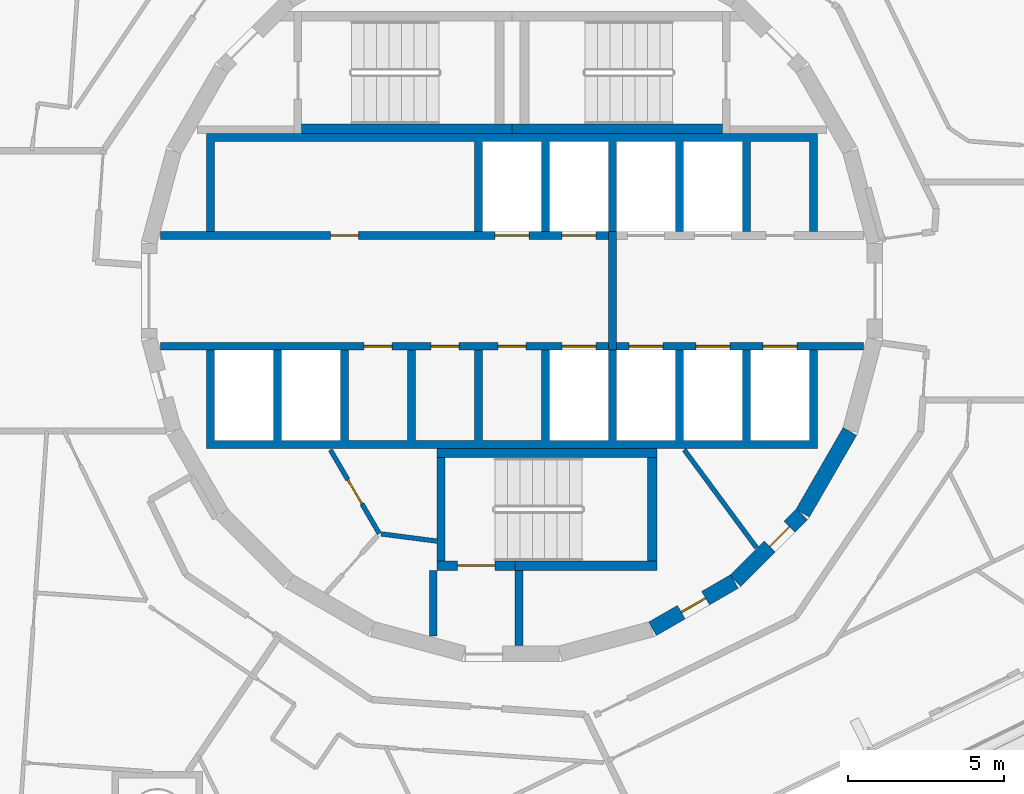
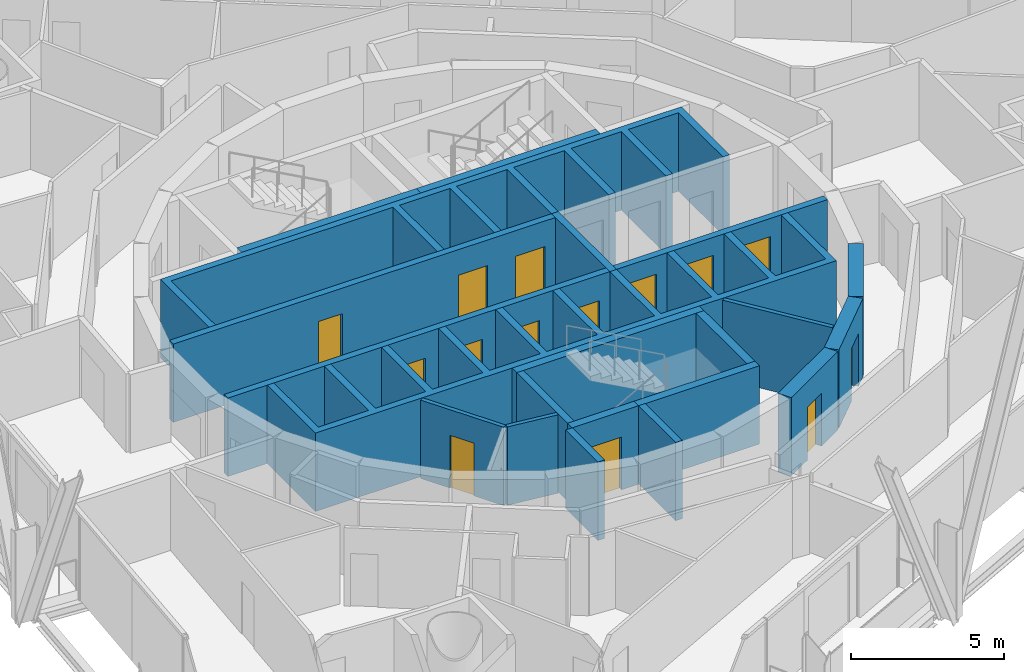
# One storey, part 13 of 18: 21 walls, 14 doors, 14 openings.
"""IFC4 building model written with IfcOpenShell, lengths in metres."""

import ifcopenshell
import ifcopenshell.guid

model = None  # the IFC model being written
_history = None  # IfcOwnerHistory: only IFC2X3 demands one
_inside = {}  # id of a spatial element -> (the spatial element, [elements in it])
_under = {}  # id of a project, library or spatial element -> (it, [spatial elements below it])
_declared = {}  # id of a project -> (the project, [libraries it declares])
_typed = {}  # id of a type object -> (the type object, [elements of that type])
_made_of = {}  # id of a material, layer set ... -> (it, [elements and type objects made of it])


def new_model(schema):
    """Start an empty IFC model of exactly this schema.

    Asked for "IFC4X3", IfcOpenShell would pick the latest addendum, in which some entities
    have other attributes; the version numbers below select the first issue.
    IFC2X3 requires an IfcOwnerHistory on every rooted entity: one is made here for all.
    """
    global model, _history
    if schema == "IFC4X3":
        model = ifcopenshell.file(schema_version=(4, 3, 0, 0))
    else:
        model = ifcopenshell.file(schema=schema)
    _inside.clear()
    _under.clear()
    _declared.clear()
    _typed.clear()
    _made_of.clear()
    _history = None
    if model.schema == "IFC2X3":
        org = make("IfcOrganization", Name="unknown")
        user = make(
            "IfcPersonAndOrganization",
            ThePerson=make("IfcPerson", FamilyName="unknown"),
            TheOrganization=org,
        )
        app = make(
            "IfcApplication",
            ApplicationDeveloper=org,
            Version="unknown",
            ApplicationFullName="unknown",
            ApplicationIdentifier="unknown",
        )
        _history = make(
            "IfcOwnerHistory",
            OwningUser=user,
            OwningApplication=app,
            ChangeAction="ADDED",
            CreationDate=0,
        )
    return model


def make(cls, **values):
    """One entity of the class cls with the attributes given. An attribute that is None is left unset."""
    return model.create_entity(
        cls, **{name: value for name, value in values.items() if value is not None}
    )


def rooted(cls, **values):
    """An entity with a GlobalId (a new one), such as an element, a storey or a relation."""
    return make(cls, GlobalId=ifcopenshell.guid.new(), OwnerHistory=_history, **values)


def si_unit(unit_type, name, prefix=None):
    """IfcSIUnit, for example si_unit("LENGTHUNIT", "METRE", prefix="MILLI")."""
    return make("IfcSIUnit", UnitType=unit_type, Prefix=prefix, Name=name)


def assignment(units):
    """IfcUnitAssignment: the units of a project."""
    return None if units is None else make("IfcUnitAssignment", Units=units)


def point(xyz):
    """IfcCartesianPoint."""
    return None if xyz is None else make("IfcCartesianPoint", Coordinates=xyz)


def direction(xyz):
    """IfcDirection."""
    return None if xyz is None else make("IfcDirection", DirectionRatios=xyz)


def frame(location, z_axis=None, x_axis=None):
    """IfcAxis2Placement3D, a coordinate frame: its origin and axes. An axis left out is left unset."""
    return make(
        "IfcAxis2Placement3D",
        Location=point(location),
        Axis=direction(z_axis),
        RefDirection=direction(x_axis),
    )


def frame_2d(location, x_axis=None):
    """IfcAxis2Placement2D, a coordinate frame in the plane: its origin and x axis."""
    return make(
        "IfcAxis2Placement2D", Location=point(location), RefDirection=direction(x_axis)
    )


def origin():
    """The frame at (0, 0, 0) with its axes left unset."""
    return frame((0.0, 0.0, 0.0))


def place(relative_to, where):
    """IfcLocalPlacement: puts the frame where relative to a parent placement (None: the world)."""
    return make(
        "IfcLocalPlacement", PlacementRelTo=relative_to, RelativePlacement=where
    )


def context(
    kind, dimensions, precision=None, world=None, true_north=None, identifier=None
):
    """IfcGeometricRepresentationContext, for example the 3D "Model" context."""
    return make(
        "IfcGeometricRepresentationContext",
        ContextIdentifier=identifier,
        ContextType=kind,
        CoordinateSpaceDimension=dimensions,
        Precision=precision,
        WorldCoordinateSystem=world,
        TrueNorth=true_north,
    )


def subcontext(parent, identifier, kind, view, scale=None):
    """IfcGeometricRepresentationSubContext, for example "Body" below "Model"."""
    return make(
        "IfcGeometricRepresentationSubContext",
        ContextIdentifier=identifier,
        ContextType=kind,
        ParentContext=parent,
        TargetScale=scale,
        TargetView=view,
    )


def project(units=None, contexts=None):
    """IfcProject with its units and contexts."""
    return rooted(
        "IfcProject",
        Name="project",
        RepresentationContexts=contexts,
        UnitsInContext=assignment(units),
    )


def spatial(cls, under=None, at=None, **own):
    """A site, building, storey or space (cls), placed at a placement, below another one or the project."""
    s = rooted(cls, ObjectPlacement=at, **own)
    if under is not None:
        _under.setdefault(under.id(), (under, []))[1].append(s)
    return s


def polyline(points):
    """IfcPolyline through the points."""
    return make("IfcPolyline", Points=[point(p) for p in points])


def profile(cls, at=None, kind="AREA", **sizes):
    """A parametric profile (cls). Its sizes go by their IFC names, for example OverallWidth=200.0."""
    return make(cls, ProfileType=kind, Position=at, **sizes)


def rectangle(**sizes):
    """IfcRectangleProfileDef."""
    return profile("IfcRectangleProfileDef", **sizes)


def outline(outer, holes=None, kind="AREA"):
    """IfcArbitraryClosedProfileDef: a profile drawn as a closed curve; with holes, ...WithVoids."""
    if holes is None:
        return make("IfcArbitraryClosedProfileDef", ProfileType=kind, OuterCurve=outer)
    return make(
        "IfcArbitraryProfileDefWithVoids",
        ProfileType=kind,
        OuterCurve=outer,
        InnerCurves=holes,
    )


def extrude(swept, where, along, depth):
    """IfcExtrudedAreaSolid: the profile swept, set in the frame where, extruded along a direction by depth."""
    return make(
        "IfcExtrudedAreaSolid",
        SweptArea=swept,
        Position=where,
        ExtrudedDirection=direction(along),
        Depth=depth,
    )


def shape(context_of_items, identifier, shape_type, items):
    """IfcShapeRepresentation: the items that make up one representation, for example the "Body"."""
    return make(
        "IfcShapeRepresentation",
        ContextOfItems=context_of_items,
        RepresentationIdentifier=identifier,
        RepresentationType=shape_type,
        Items=items,
    )


def material(Name=None, Category=None):
    """IfcMaterial."""
    return make("IfcMaterial", Name=Name, Category=Category)


def layer(
    of_material, thickness, ventilated=None, Name=None, Category=None, Priority=None
):
    """IfcMaterialLayer: one layer of a wall or slab, of a material (None: an air gap)."""
    return make(
        "IfcMaterialLayer",
        Material=of_material,
        LayerThickness=thickness,
        IsVentilated=ventilated,
        Name=Name,
        Category=Category,
        Priority=Priority,
    )


def layer_set(layers, Name=None):
    """IfcMaterialLayerSet."""
    return make("IfcMaterialLayerSet", MaterialLayers=layers, LayerSetName=Name)


def made_of(thing, what):
    """Note that an element or type object is made of a material, layer set ...; save() writes the relation."""
    if what is not None:
        _made_of.setdefault(what.id(), (what, []))[1].append(thing)
    return thing


def type_object(cls, material=None, **own):
    """A type object (cls), such as IfcWallType, which elements share."""
    return made_of(rooted(cls, **own), material)


def element(
    cls,
    number,
    at=None,
    inside=None,
    cuts=None,
    type_object=None,
    material=None,
    context=None,
    identifier="Body",
    shape_type=None,
    held_by="IfcProductDefinitionShape",
    body=None,
    shapes=None,
    **own,
):
    """One element of the class cls, such as IfcWall. Its Tag is "e" and its number.

    at: its placement. inside: the storey or other place that contains it. cuts: it is an
    opening in that element (IfcRelVoidsElement). A single representation is given by context,
    identifier, shape_type and body (its items); several are given by shapes. held_by: the class
    of the entity that holds the representations. save() writes the other relations.
    """
    e = rooted(cls, Tag="e%d" % number, ObjectPlacement=at, **own)
    if body is not None:
        shapes = [shape(context, identifier, shape_type, body)]
    if shapes is not None:
        e.Representation = make(held_by, Representations=shapes)
    if inside is not None:
        _inside.setdefault(inside.id(), (inside, []))[1].append(e)
    if cuts is not None:
        rooted(
            "IfcRelVoidsElement", RelatingBuildingElement=cuts, RelatedOpeningElement=e
        )
    if type_object is not None:
        _typed.setdefault(type_object.id(), (type_object, []))[1].append(e)
    return made_of(e, material)


def fill(opening, filler):
    """IfcRelFillsElement: the door or window that sits in an opening."""
    return rooted(
        "IfcRelFillsElement",
        RelatingOpeningElement=opening,
        RelatedBuildingElement=filler,
    )


def aggregate(whole, parts):
    """IfcRelAggregates: a whole, such as a stair, and the parts it consists of."""
    return rooted("IfcRelAggregates", RelatingObject=whole, RelatedObjects=parts)


def save(model, path):
    """Write the relations noted so far, then the file.

    IfcRelAggregates (storeys below a building ...), IfcRelContainedInSpatialStructure (elements
    in a storey), IfcRelDefinesByType, IfcRelAssociatesMaterial and IfcRelDeclares: one each for
    every whole, place, type object, material and project.
    """
    for whole, parts in _under.values():
        aggregate(whole, parts)
    for where, things in _inside.values():
        rooted(
            "IfcRelContainedInSpatialStructure",
            RelatedElements=things,
            RelatingStructure=where,
        )
    for kind, things in _typed.values():
        rooted("IfcRelDefinesByType", RelatedObjects=things, RelatingType=kind)
    for what, things in _made_of.values():
        rooted("IfcRelAssociatesMaterial", RelatedObjects=things, RelatingMaterial=what)
    for by, libraries in _declared.values():
        rooted("IfcRelDeclares", RelatingContext=by, RelatedDefinitions=libraries)
    model.write(path)


model = new_model("IFC4")

# Units and contexts
model_context = context("Model", 3, precision=1e-05, world=origin(), true_north=direction((0.0, 1.0)))
body_context = subcontext(model_context, "Body", "Model", "MODEL_VIEW")
ifc_project = project(units=[si_unit("LENGTHUNIT", "METRE"), si_unit("AREAUNIT", "SQUARE_METRE"), si_unit("VOLUMEUNIT", "CUBIC_METRE"), si_unit("PLANEANGLEUNIT", "RADIAN"), si_unit("MASSUNIT", "GRAM", prefix="KILO")], contexts=[model_context])

# Site, building, storey
site_placement = place(None, origin())
site = spatial("IfcSite", under=ifc_project, at=site_placement, CompositionType="ELEMENT")
building_placement = place(site_placement, origin())
building = spatial("IfcBuilding", under=site, at=building_placement, Name="Spindle Arch Residences", CompositionType="ELEMENT")
storey_placement = place(building_placement, frame((0.0, 0.0, 202.39990234375)))
storey = spatial("IfcBuildingStorey", under=building, at=storey_placement, Name="L51", CompositionType="ELEMENT", Elevation=202.39990234375)

# Wall, opening, door
ifc_material_1 = material(Name="Concrete C50/60", Category="concrete")
ifc_layer_1 = layer(ifc_material_1, 0.5)
ifc_layer_set_1 = layer_set([ifc_layer_1], Name="Core outline wall 500")
wall_type_1 = type_object("IfcWallType", Name="Core outline wall 500", PredefinedType="SHEAR", material=ifc_layer_set_1)
wall_1_placement = place(storey_placement, frame((4.510498046875, -10.84521484375, 0.0), z_axis=(0.0, 0.0, 1.0), x_axis=(0.865975092491, 0.500087131594, 0.0)))
wall_1 = element("IfcWall", 1, at=wall_1_placement, inside=storey, type_object=wall_type_1, Name="Core outline wall 2", PredefinedType="SHEAR", context=body_context, shape_type="SweptSolid", body=[
    extrude(rectangle(XDim=3.03271484375, YDim=0.5, at=frame_2d((1.516357421875, 0.0))), origin(), (0.0, 0.0, 1.0), 3.1201171875),
])
opening_1_placement = place(wall_1_placement, frame((1.06640625, 0.0, 0.0)))
opening_1 = element("IfcOpeningElement", 2, at=opening_1_placement, cuts=wall_1, Name="Opening R5B0-WD08", PredefinedType="OPENING", context=body_context, shape_type="SweptSolid", body=[
    extrude(rectangle(XDim=0.89990234375, YDim=2.10009765625, at=frame_2d((0.449951171875, 1.050048828125))), frame((0.0, 0.260009765625, 0.0), z_axis=(0.0, -1.0, 0.0), x_axis=(1.0, 0.0, 0.0)), (0.0, 0.0, 1.0), 0.52001953125),
])
ifc_material_2 = material(Name="Steel, fire-resisting door", Category="steel")
door_type_1 = type_object("IfcDoorType", Name="Service room door 900x2100", OperationType="SINGLE_SWING_LEFT", PredefinedType="DOOR", material=ifc_material_2)
door_1_placement = place(opening_1_placement, origin())
door_1 = element("IfcDoor", 3, at=door_1_placement, inside=storey, type_object=door_type_1, Name="Service room door R5B0-WD08", OperationType="SINGLE_SWING_RIGHT", OverallHeight=2.10009765625, OverallWidth=0.89990234375, PredefinedType="DOOR", context=body_context, shape_type="SweptSolid", body=[
    extrude(rectangle(XDim=0.89990234375, YDim=2.10009765625, at=frame_2d((0.449951171875, 1.050048828125))), frame((0.0, 0.02490234375, 0.0), z_axis=(0.0, -1.0, 0.0), x_axis=(1.0, 0.0, 0.0)), (0.0, 0.0, 1.0), 0.050048828125),
])
fill(opening_1, door_1)

wall_2_placement = place(storey_placement, frame((7.163818359375, -9.30810546875, 0.0), z_axis=(0.0, 0.0, 1.0), x_axis=(0.707106781187, 0.707106781187, 0.0)))
wall_2 = element("IfcWall", 4, at=wall_2_placement, inside=storey, type_object=wall_type_1, Name="Core outline wall 3", PredefinedType="SHEAR", context=body_context, shape_type="SweptSolid", body=[
    extrude(rectangle(XDim=3.032470703125, YDim=0.5, at=frame_2d((1.51611328125, 0.0))), origin(), (0.0, 0.0, 1.0), 3.1201171875),
])
opening_2_placement = place(wall_2_placement, frame((1.56640625, 0.0, 0.0)))
opening_2 = element("IfcOpeningElement", 5, at=opening_2_placement, cuts=wall_2, Name="Opening R5B0-WD09", PredefinedType="OPENING", context=body_context, shape_type="SweptSolid", body=[
    extrude(rectangle(XDim=0.89990234375, YDim=2.10009765625, at=frame_2d((0.449951171875, 1.050048828125))), frame((0.0, 0.260009765625, 0.0), z_axis=(0.0, -1.0, 0.0), x_axis=(1.0, 0.0, 0.0)), (0.0, 0.0, 1.0), 0.52001953125),
])
door_2_placement = place(opening_2_placement, origin())
door_2 = element("IfcDoor", 6, at=door_2_placement, inside=storey, type_object=door_type_1, Name="Service room door R5B0-WD09", OperationType="SINGLE_SWING_LEFT", OverallHeight=2.10009765625, OverallWidth=0.89990234375, PredefinedType="DOOR", context=body_context, shape_type="SweptSolid", body=[
    extrude(rectangle(XDim=0.89990234375, YDim=2.10009765625, at=frame_2d((0.449951171875, 1.050048828125))), frame((0.0, 0.02490234375, 0.0), z_axis=(0.0, -1.0, 0.0), x_axis=(1.0, 0.0, 0.0)), (0.0, 0.0, 1.0), 0.050048828125),
])
fill(opening_2, door_2)

# Walls
wall_3_placement = place(storey_placement, frame((9.32861328125, -7.13671875, 0.0), z_axis=(0.0, 0.0, 1.0), x_axis=(0.500087131594, 0.865975092491, 0.0)))
element("IfcWall", 7, at=wall_3_placement, inside=storey, type_object=wall_type_1, Name="Core outline wall 4", PredefinedType="SHEAR", context=body_context, shape_type="SweptSolid", body=[
    extrude(rectangle(XDim=3.03271484375, YDim=0.5, at=frame_2d((1.516357421875, 0.0))), origin(), (0.0, 0.0, 1.0), 3.1201171875),
])
ifc_material_3 = material(Name="Concrete C40/50", Category="concrete")
ifc_layer_2 = layer(ifc_material_3, 0.25)
ifc_layer_set_2 = layer_set([ifc_layer_2], Name="Fire-lift lobby wall 250")
wall_type_2 = type_object("IfcWallType", Name="Fire-lift lobby wall 250", PredefinedType="SHEAR", material=ifc_layer_set_2)
wall_4_placement = place(storey_placement, frame((3.22509765625, -1.89990234375, 0.0), z_axis=(0.0, 0.0, 1.0), x_axis=(0.0, 1.0, 0.0)))
element("IfcWall", 8, at=wall_4_placement, inside=storey, type_object=wall_type_2, Name="Fire-fighting lobby partition", PredefinedType="SHEAR", context=body_context, shape_type="SweptSolid", body=[
    extrude(rectangle(XDim=3.7998046875, YDim=0.25, at=frame_2d((1.89990234375, 0.0))), origin(), (0.0, 0.0, 1.0), 3.1201171875),
])

# Wall, openings, doors
ifc_material_4 = material(Name="Concrete C50/60", Category="concrete")
ifc_layer_3 = layer(ifc_material_4, 0.25)
ifc_layer_set_3 = layer_set([ifc_layer_3], Name="Fire-lift shaft wall 250")
wall_type_3 = type_object("IfcWallType", Name="Fire-lift shaft wall 250", PredefinedType="SHEAR", material=ifc_layer_set_3)
wall_5_placement = place(storey_placement, frame((3.35009765625, -1.77490234375, 0.0), z_axis=(0.0, 0.0, 1.0), x_axis=(1.0, 0.0, 0.0)))
wall_5 = element("IfcWall", 9, at=wall_5_placement, inside=storey, type_object=wall_type_3, Name="Lift shaft front wall SE", PredefinedType="SHEAR", context=body_context, shape_type="SweptSolid", body=[
    extrude(rectangle(XDim=7.929931640625, YDim=0.25, at=frame_2d((3.96484375, 0.0))), origin(), (0.0, 0.0, 1.0), 3.1201171875),
])
opening_3_placement = place(wall_5_placement, frame((0.39990234375, 0.0, 0.0)))
opening_3 = element("IfcOpeningElement", 10, at=opening_3_placement, cuts=wall_5, Name="Opening R5B0-FLD01", PredefinedType="OPENING", context=body_context, shape_type="SweptSolid", body=[
    extrude(rectangle(XDim=1.10009765625, YDim=2.39990234375, at=frame_2d((0.550048828125, 1.199951171875))), frame((0.0, 0.135009765625, 0.0), z_axis=(0.0, -1.0, 0.0), x_axis=(1.0, 0.0, 0.0)), (0.0, 0.0, 1.0), 0.27001953125),
])
opening_4_placement = place(wall_5_placement, frame((2.550048828125, 0.0, 0.0)))
opening_4 = element("IfcOpeningElement", 11, at=opening_4_placement, cuts=wall_5, Name="Opening R5B0-FLD02", PredefinedType="OPENING", context=body_context, shape_type="SweptSolid", body=[
    extrude(rectangle(XDim=1.10009765625, YDim=2.39990234375, at=frame_2d((0.550048828125, 1.199951171875))), frame((0.0, 0.135009765625, 0.0), z_axis=(0.0, -1.0, 0.0), x_axis=(1.0, 0.0, 0.0)), (0.0, 0.0, 1.0), 0.27001953125),
])
opening_5_placement = place(wall_5_placement, frame((4.699951171875, 0.0, 0.0)))
opening_5 = element("IfcOpeningElement", 12, at=opening_5_placement, cuts=wall_5, Name="Opening R5B0-FLD03", PredefinedType="OPENING", context=body_context, shape_type="SweptSolid", body=[
    extrude(rectangle(XDim=1.10009765625, YDim=2.39990234375, at=frame_2d((0.550048828125, 1.199951171875))), frame((0.0, 0.135009765625, 0.0), z_axis=(0.0, -1.0, 0.0), x_axis=(1.0, 0.0, 0.0)), (0.0, 0.0, 1.0), 0.27001953125),
])
ifc_material_5 = material(Name="Steel, fire-resisting landing door", Category="steel")
door_type_2 = type_object("IfcDoorType", Name="Fire-fighting lift landing door 1100x2400", OperationType="DOUBLE_DOOR_SLIDING", PredefinedType="DOOR", material=ifc_material_5)
door_3_placement = place(opening_3_placement, origin())
door_3 = element("IfcDoor", 13, at=door_3_placement, inside=storey, type_object=door_type_2, Name="Fire-fighting lift landing door R5B0-FLD01", OperationType="DOUBLE_DOOR_SLIDING", OverallHeight=2.39990234375, OverallWidth=1.10009765625, PredefinedType="DOOR", context=body_context, shape_type="SweptSolid", body=[
    extrude(rectangle(XDim=1.10009765625, YDim=2.39990234375, at=frame_2d((0.550048828125, 1.199951171875))), frame((0.0, 0.02490234375, 0.0), z_axis=(0.0, -1.0, 0.0), x_axis=(1.0, 0.0, 0.0)), (0.0, 0.0, 1.0), 0.050048828125),
])
fill(opening_3, door_3)
door_4_placement = place(opening_4_placement, origin())
door_4 = element("IfcDoor", 14, at=door_4_placement, inside=storey, type_object=door_type_2, Name="Fire-fighting lift landing door R5B0-FLD02", OperationType="DOUBLE_DOOR_SLIDING", OverallHeight=2.39990234375, OverallWidth=1.10009765625, PredefinedType="DOOR", context=body_context, shape_type="SweptSolid", body=[
    extrude(rectangle(XDim=1.10009765625, YDim=2.39990234375, at=frame_2d((0.550048828125, 1.199951171875))), frame((0.0, 0.02490234375, 0.0), z_axis=(0.0, -1.0, 0.0), x_axis=(1.0, 0.0, 0.0)), (0.0, 0.0, 1.0), 0.050048828125),
])
fill(opening_4, door_4)
door_5_placement = place(opening_5_placement, origin())
door_5 = element("IfcDoor", 15, at=door_5_placement, inside=storey, type_object=door_type_2, Name="Fire-fighting lift landing door R5B0-FLD03", OperationType="DOUBLE_DOOR_SLIDING", OverallHeight=2.39990234375, OverallWidth=1.10009765625, PredefinedType="DOOR", context=body_context, shape_type="SweptSolid", body=[
    extrude(rectangle(XDim=1.10009765625, YDim=2.39990234375, at=frame_2d((0.550048828125, 1.199951171875))), frame((0.0, 0.02490234375, 0.0), z_axis=(0.0, -1.0, 0.0), x_axis=(1.0, 0.0, 0.0)), (0.0, 0.0, 1.0), 0.050048828125),
])
fill(opening_5, door_5)

ifc_material_6 = material(Name="Concrete C50/60", Category="concrete")
ifc_layer_4 = layer(ifc_material_6, 0.25)
ifc_layer_set_4 = layer_set([ifc_layer_4], Name="Lift shaft wall 250")
wall_type_4 = type_object("IfcWallType", Name="Lift shaft wall 250", PredefinedType="SHEAR", material=ifc_layer_set_4)
wall_6_placement = place(storey_placement, frame((-11.280029296875, 1.77490234375, 0.0), z_axis=(0.0, 0.0, 1.0), x_axis=(1.0, 0.0, 0.0)))
wall_6 = element("IfcWall", 16, at=wall_6_placement, inside=storey, type_object=wall_type_4, Name="Lift shaft front wall NW", PredefinedType="SHEAR", context=body_context, shape_type="SweptSolid", body=[
    extrude(rectangle(XDim=14.380126953125, YDim=0.25, at=frame_2d((7.18994140625, 0.0))), origin(), (0.0, 0.0, 1.0), 3.1201171875),
])
opening_6_placement = place(wall_6_placement, frame((10.72998046875, 0.0, 0.0)))
opening_6 = element("IfcOpeningElement", 17, at=opening_6_placement, cuts=wall_6, Name="Opening R5B0-LD01", PredefinedType="OPENING", context=body_context, shape_type="SweptSolid", body=[
    extrude(rectangle(XDim=1.10009765625, YDim=2.10009765625, at=frame_2d((0.550048828125, 1.050048828125))), frame((0.0, 0.135009765625, 0.0), z_axis=(0.0, -1.0, 0.0), x_axis=(1.0, 0.0, 0.0)), (0.0, 0.0, 1.0), 0.27001953125),
])
opening_7_placement = place(wall_6_placement, frame((12.8798828125, 0.0, 0.0)))
opening_7 = element("IfcOpeningElement", 18, at=opening_7_placement, cuts=wall_6, Name="Opening R5B0-LD02", PredefinedType="OPENING", context=body_context, shape_type="SweptSolid", body=[
    extrude(rectangle(XDim=1.10009765625, YDim=2.10009765625, at=frame_2d((0.550048828125, 1.050048828125))), frame((0.0, 0.135009765625, 0.0), z_axis=(0.0, -1.0, 0.0), x_axis=(1.0, 0.0, 0.0)), (0.0, 0.0, 1.0), 0.27001953125),
])
opening_8_placement = place(wall_6_placement, frame((5.455078125, 0.0, 0.0)))
opening_8 = element("IfcOpeningElement", 19, at=opening_8_placement, cuts=wall_6, Name="Opening R5B0-WD01", PredefinedType="OPENING", context=body_context, shape_type="SweptSolid", body=[
    extrude(rectangle(XDim=0.89990234375, YDim=2.10009765625, at=frame_2d((0.449951171875, 1.050048828125))), frame((0.0, 0.135009765625, 0.0), z_axis=(0.0, -1.0, 0.0), x_axis=(1.0, 0.0, 0.0)), (0.0, 0.0, 1.0), 0.27001953125),
])
ifc_material_7 = material(Name="Steel, fire-resisting landing door", Category="steel")
door_type_3 = type_object("IfcDoorType", Name="Lift landing door 1100x2100", OperationType="DOUBLE_DOOR_SLIDING", PredefinedType="DOOR", material=ifc_material_7)
door_6_placement = place(opening_6_placement, origin())
door_6 = element("IfcDoor", 20, at=door_6_placement, inside=storey, type_object=door_type_3, Name="Lift landing door R5B0-LD01", OperationType="DOUBLE_DOOR_SLIDING", OverallHeight=2.10009765625, OverallWidth=1.10009765625, PredefinedType="DOOR", context=body_context, shape_type="SweptSolid", body=[
    extrude(rectangle(XDim=1.10009765625, YDim=2.10009765625, at=frame_2d((0.550048828125, 1.050048828125))), frame((0.0, 0.02490234375, 0.0), z_axis=(0.0, -1.0, 0.0), x_axis=(1.0, 0.0, 0.0)), (0.0, 0.0, 1.0), 0.050048828125),
])
fill(opening_6, door_6)
door_7_placement = place(opening_7_placement, origin())
door_7 = element("IfcDoor", 21, at=door_7_placement, inside=storey, type_object=door_type_3, Name="Lift landing door R5B0-LD02", OperationType="DOUBLE_DOOR_SLIDING", OverallHeight=2.10009765625, OverallWidth=1.10009765625, PredefinedType="DOOR", context=body_context, shape_type="SweptSolid", body=[
    extrude(rectangle(XDim=1.10009765625, YDim=2.10009765625, at=frame_2d((0.550048828125, 1.050048828125))), frame((0.0, 0.02490234375, 0.0), z_axis=(0.0, -1.0, 0.0), x_axis=(1.0, 0.0, 0.0)), (0.0, 0.0, 1.0), 0.050048828125),
])
fill(opening_7, door_7)
door_8_placement = place(opening_8_placement, origin())
door_8 = element("IfcDoor", 22, at=door_8_placement, inside=storey, type_object=door_type_1, Name="Service room door R5B0-WD01", OperationType="SINGLE_SWING_LEFT", OverallHeight=2.10009765625, OverallWidth=0.89990234375, PredefinedType="DOOR", context=body_context, shape_type="SweptSolid", body=[
    extrude(rectangle(XDim=0.89990234375, YDim=2.10009765625, at=frame_2d((0.449951171875, 1.050048828125))), frame((0.0, 0.02490234375, 0.0), z_axis=(0.0, -1.0, 0.0), x_axis=(1.0, 0.0, 0.0)), (0.0, 0.0, 1.0), 0.050048828125),
])
fill(opening_8, door_8)

wall_7_placement = place(storey_placement, frame((-11.280029296875, -1.77490234375, 0.0), z_axis=(0.0, 0.0, 1.0), x_axis=(1.0, 0.0, 0.0)))
wall_7 = element("IfcWall", 23, at=wall_7_placement, inside=storey, type_object=wall_type_4, Name="Lift shaft front wall SW", PredefinedType="SHEAR", context=body_context, shape_type="SweptSolid", body=[
    extrude(rectangle(XDim=14.380126953125, YDim=0.25, at=frame_2d((7.18994140625, 0.0))), origin(), (0.0, 0.0, 1.0), 3.1201171875),
])
opening_9_placement = place(wall_7_placement, frame((12.8798828125, 0.0, 0.0)))
opening_9 = element("IfcOpeningElement", 24, at=opening_9_placement, cuts=wall_7, Name="Opening R5B0-LD03", PredefinedType="OPENING", context=body_context, shape_type="SweptSolid", body=[
    extrude(rectangle(XDim=1.10009765625, YDim=2.10009765625, at=frame_2d((0.550048828125, 1.050048828125))), frame((0.0, 0.135009765625, 0.0), z_axis=(0.0, -1.0, 0.0), x_axis=(1.0, 0.0, 0.0)), (0.0, 0.0, 1.0), 0.27001953125),
])
opening_10_placement = place(wall_7_placement, frame((6.530029296875, 0.0, 0.0)))
opening_10 = element("IfcOpeningElement", 25, at=opening_10_placement, cuts=wall_7, Name="Opening R5B0-WD03", PredefinedType="OPENING", context=body_context, shape_type="SweptSolid", body=[
    extrude(rectangle(XDim=0.89990234375, YDim=2.10009765625, at=frame_2d((0.449951171875, 1.050048828125))), frame((0.0, 0.135009765625, 0.0), z_axis=(0.0, -1.0, 0.0), x_axis=(1.0, 0.0, 0.0)), (0.0, 0.0, 1.0), 0.27001953125),
])
opening_11_placement = place(wall_7_placement, frame((8.679931640625, 0.0, 0.0)))
opening_11 = element("IfcOpeningElement", 26, at=opening_11_placement, cuts=wall_7, Name="Opening R5B0-WD04", PredefinedType="OPENING", context=body_context, shape_type="SweptSolid", body=[
    extrude(rectangle(XDim=0.89990234375, YDim=2.10009765625, at=frame_2d((0.449951171875, 1.050048828125))), frame((0.0, 0.135009765625, 0.0), z_axis=(0.0, -1.0, 0.0), x_axis=(1.0, 0.0, 0.0)), (0.0, 0.0, 1.0), 0.27001953125),
])
opening_12_placement = place(wall_7_placement, frame((10.830078125, 0.0, 0.0)))
opening_12 = element("IfcOpeningElement", 27, at=opening_12_placement, cuts=wall_7, Name="Opening R5B0-WD05", PredefinedType="OPENING", context=body_context, shape_type="SweptSolid", body=[
    extrude(rectangle(XDim=0.89990234375, YDim=2.10009765625, at=frame_2d((0.449951171875, 1.050048828125))), frame((0.0, 0.135009765625, 0.0), z_axis=(0.0, -1.0, 0.0), x_axis=(1.0, 0.0, 0.0)), (0.0, 0.0, 1.0), 0.27001953125),
])
door_9_placement = place(opening_9_placement, origin())
door_9 = element("IfcDoor", 28, at=door_9_placement, inside=storey, type_object=door_type_3, Name="Lift landing door R5B0-LD03", OperationType="DOUBLE_DOOR_SLIDING", OverallHeight=2.10009765625, OverallWidth=1.10009765625, PredefinedType="DOOR", context=body_context, shape_type="SweptSolid", body=[
    extrude(rectangle(XDim=1.10009765625, YDim=2.10009765625, at=frame_2d((0.550048828125, 1.050048828125))), frame((0.0, 0.02490234375, 0.0), z_axis=(0.0, -1.0, 0.0), x_axis=(1.0, 0.0, 0.0)), (0.0, 0.0, 1.0), 0.050048828125),
])
fill(opening_9, door_9)
door_10_placement = place(opening_10_placement, origin())
door_10 = element("IfcDoor", 29, at=door_10_placement, inside=storey, type_object=door_type_1, Name="Service room door R5B0-WD03", OperationType="SINGLE_SWING_LEFT", OverallHeight=2.10009765625, OverallWidth=0.89990234375, PredefinedType="DOOR", context=body_context, shape_type="SweptSolid", body=[
    extrude(rectangle(XDim=0.89990234375, YDim=2.10009765625, at=frame_2d((0.449951171875, 1.050048828125))), frame((0.0, 0.02490234375, 0.0), z_axis=(0.0, -1.0, 0.0), x_axis=(1.0, 0.0, 0.0)), (0.0, 0.0, 1.0), 0.050048828125),
])
fill(opening_10, door_10)
door_11_placement = place(opening_11_placement, origin())
door_11 = element("IfcDoor", 30, at=door_11_placement, inside=storey, type_object=door_type_1, Name="Service room door R5B0-WD04", OperationType="SINGLE_SWING_RIGHT", OverallHeight=2.10009765625, OverallWidth=0.89990234375, PredefinedType="DOOR", context=body_context, shape_type="SweptSolid", body=[
    extrude(rectangle(XDim=0.89990234375, YDim=2.10009765625, at=frame_2d((0.449951171875, 1.050048828125))), frame((0.0, 0.02490234375, 0.0), z_axis=(0.0, -1.0, 0.0), x_axis=(1.0, 0.0, 0.0)), (0.0, 0.0, 1.0), 0.050048828125),
])
fill(opening_11, door_11)
door_12_placement = place(opening_12_placement, origin())
door_12 = element("IfcDoor", 31, at=door_12_placement, inside=storey, type_object=door_type_1, Name="Service room door R5B0-WD05", OperationType="SINGLE_SWING_LEFT", OverallHeight=2.10009765625, OverallWidth=0.89990234375, PredefinedType="DOOR", context=body_context, shape_type="SweptSolid", body=[
    extrude(rectangle(XDim=0.89990234375, YDim=2.10009765625, at=frame_2d((0.449951171875, 1.050048828125))), frame((0.0, 0.02490234375, 0.0), z_axis=(0.0, -1.0, 0.0), x_axis=(1.0, 0.0, 0.0)), (0.0, 0.0, 1.0), 0.050048828125),
])
fill(opening_12, door_12)

# Walls
ifc_material_8 = material(Name="Concrete C50/60", Category="concrete")
wall_type_5 = type_object("IfcWallType", Name="Lift shaft wall profile", PredefinedType="SHEAR", material=ifc_material_8)
wall_8_placement = place(storey_placement, origin())
element("IfcWall", 32, at=wall_8_placement, inside=storey, type_object=wall_type_5, Name="Lift shaft walls N", PredefinedType="SHEAR", context=body_context, shape_type="SweptSolid", body=[
    extrude(outline(polyline([(-9.550048828125, 4.800048828125), (-1.199951171875, 4.800048828125), (-1.199951171875, 1.89990234375), (-0.949951171875, 1.89990234375), (-0.949951171875, 4.800048828125), (0.949951171875, 4.800048828125), (0.949951171875, 1.89990234375), (1.199951171875, 1.89990234375), (1.199951171875, 4.800048828125), (3.10009765625, 4.800048828125), (3.10009765625, 1.89990234375), (3.35009765625, 1.89990234375), (3.35009765625, 4.800048828125), (5.25, 4.800048828125), (5.25, 1.89990234375), (5.5, 1.89990234375), (5.5, 4.800048828125), (7.39990234375, 4.800048828125), (7.39990234375, 1.89990234375), (7.64990234375, 1.89990234375), (7.64990234375, 4.800048828125), (9.550048828125, 4.800048828125), (9.550048828125, 1.89990234375), (9.800048828125, 1.89990234375), (9.800048828125, 4.800048828125), (9.800048828125, 5.050048828125), (-9.800048828125, 5.050048828125), (-9.800048828125, 4.800048828125), (-9.800048828125, 1.89990234375), (-9.550048828125, 1.89990234375), (-9.550048828125, 4.800048828125)])), origin(), (0.0, 0.0, 1.0), 3.1201171875),
])
wall_9_placement = place(storey_placement, origin())
element("IfcWall", 33, at=wall_9_placement, inside=storey, type_object=wall_type_5, Name="Lift shaft walls S", PredefinedType="SHEAR", context=body_context, shape_type="SweptSolid", body=[
    extrude(outline(polyline([(9.800048828125, -5.050048828125), (9.800048828125, -4.800048828125), (9.800048828125, -1.89990234375), (9.550048828125, -1.89990234375), (9.550048828125, -4.800048828125), (7.64990234375, -4.800048828125), (7.64990234375, -1.89990234375), (7.39990234375, -1.89990234375), (7.39990234375, -4.800048828125), (5.5, -4.800048828125), (5.5, -1.89990234375), (5.25, -1.89990234375), (5.25, -4.800048828125), (3.35009765625, -4.800048828125), (3.35009765625, -1.89990234375), (3.10009765625, -1.89990234375), (3.10009765625, -4.800048828125), (1.199951171875, -4.800048828125), (1.199951171875, -1.89990234375), (0.949951171875, -1.89990234375), (0.949951171875, -4.800048828125), (-0.949951171875, -4.800048828125), (-0.949951171875, -1.89990234375), (-1.199951171875, -1.89990234375), (-1.199951171875, -4.800048828125), (-3.10009765625, -4.800048828125), (-3.10009765625, -1.89990234375), (-3.35009765625, -1.89990234375), (-3.35009765625, -4.800048828125), (-5.25, -4.800048828125), (-5.25, -1.89990234375), (-5.5, -1.89990234375), (-5.5, -4.800048828125), (-7.39990234375, -4.800048828125), (-7.39990234375, -1.89990234375), (-7.64990234375, -1.89990234375), (-7.64990234375, -4.800048828125), (-9.550048828125, -4.800048828125), (-9.550048828125, -1.89990234375), (-9.800048828125, -1.89990234375), (-9.800048828125, -4.800048828125), (-9.800048828125, -5.050048828125), (9.800048828125, -5.050048828125)])), origin(), (0.0, 0.0, 1.0), 3.1201171875),
])
ifc_material_9 = material(Name="Concrete C25/30", Category="concrete")
ifc_layer_5 = layer(ifc_material_9, 0.14990234375)
ifc_layer_set_5 = layer_set([ifc_layer_5], Name="Service room partition 150")
wall_type_6 = type_object("IfcWallType", Name="Service room partition 150", PredefinedType="PARTITIONING", material=ifc_layer_set_5)
wall_10_placement = place(storey_placement, frame((5.528076171875, -5.098388671875, 0.0), z_axis=(0.0, 0.0, 1.0), x_axis=(0.594034318069, -0.804439698769, 0.0)))
element("IfcWall", 34, at=wall_10_placement, inside=storey, type_object=wall_type_6, Name="Core service room partition", PredefinedType="PARTITIONING", context=body_context, shape_type="SweptSolid", body=[
    extrude(rectangle(XDim=3.90673828125, YDim=0.14990234375, at=frame_2d((1.953369140625, 0.0))), origin(), (0.0, 0.0, 1.0), 3.1201171875),
])

# Wall, opening, door
wall_11_placement = place(storey_placement, frame((-5.8291015625, -5.101806640625, 0.0), z_axis=(0.0, 0.0, 1.0), x_axis=(0.504480008384, -0.863423373057, 0.0)))
wall_11 = element("IfcWall", 35, at=wall_11_placement, inside=storey, type_object=wall_type_6, Name="Core service room partition", PredefinedType="PARTITIONING", context=body_context, shape_type="SweptSolid", body=[
    extrude(rectangle(XDim=3.115234375, YDim=0.14990234375, at=frame_2d((1.5576171875, 0.0))), origin(), (0.0, 0.0, 1.0), 3.1201171875),
])
opening_13_placement = place(wall_11_placement, frame((1.107421875, 0.0, 0.0)))
opening_13 = element("IfcOpeningElement", 36, at=opening_13_placement, cuts=wall_11, Name="Opening R5B0-WD07", PredefinedType="OPENING", context=body_context, shape_type="SweptSolid", body=[
    extrude(rectangle(XDim=0.89990234375, YDim=2.10009765625, at=frame_2d((0.449951171875, 1.050048828125))), frame((0.0, 0.0849609375, 0.0), z_axis=(0.0, -1.0, 0.0), x_axis=(1.0, 0.0, 0.0)), (0.0, 0.0, 1.0), 0.169921875),
])
door_13_placement = place(opening_13_placement, origin())
door_13 = element("IfcDoor", 37, at=door_13_placement, inside=storey, type_object=door_type_1, Name="Service room door R5B0-WD07", OperationType="SINGLE_SWING_LEFT", OverallHeight=2.10009765625, OverallWidth=0.89990234375, PredefinedType="DOOR", context=body_context, shape_type="SweptSolid", body=[
    extrude(rectangle(XDim=0.89990234375, YDim=2.10009765625, at=frame_2d((0.449951171875, 1.050048828125))), frame((0.0, 0.02490234375, 0.0), z_axis=(0.0, -1.0, 0.0), x_axis=(1.0, 0.0, 0.0)), (0.0, 0.0, 1.0), 0.050048828125),
])
fill(opening_13, door_13)

# Walls
wall_12_placement = place(storey_placement, frame((-4.197998046875, -7.79931640625, 0.0), z_axis=(0.0, 0.0, 1.0), x_axis=(0.991686747293, -0.128675542523, 0.0)))
element("IfcWall", 38, at=wall_12_placement, inside=storey, type_object=wall_type_6, Name="Core service room partition", PredefinedType="PARTITIONING", context=body_context, shape_type="SweptSolid", body=[
    extrude(rectangle(XDim=1.79296875, YDim=0.14990234375, at=frame_2d((0.896484375, 0.0))), origin(), (0.0, 0.0, 1.0), 3.1201171875),
])
ifc_material_10 = material(Name="Concrete C40/50", Category="concrete")
ifc_layer_6 = layer(ifc_material_10, 0.25)
ifc_layer_set_6 = layer_set([ifc_layer_6], Name="Stair airlock wall 250")
wall_type_7 = type_object("IfcWallType", Name="Stair airlock wall 250", PredefinedType="SHEAR", material=ifc_layer_set_6)
wall_13_placement = place(storey_placement, frame((-2.52490234375, -8.969970703125, 0.0), z_axis=(0.0, 0.0, 1.0), x_axis=(0.0, -1.0, 0.0)))
element("IfcWall", 39, at=wall_13_placement, inside=storey, type_object=wall_type_7, Name="Stair ST-3 airlock wall W", PredefinedType="SHEAR", context=body_context, shape_type="SweptSolid", body=[
    extrude(rectangle(XDim=2.110107421875, YDim=0.25, at=frame_2d((1.05517578125, 0.0))), origin(), (0.0, 0.0, 1.0), 3.1201171875),
])
wall_14_placement = place(storey_placement, frame((0.22509765625, -8.969970703125, 0.0), z_axis=(0.0, 0.0, 1.0), x_axis=(0.0, -1.0, 0.0)))
element("IfcWall", 40, at=wall_14_placement, inside=storey, type_object=wall_type_7, Name="Stair ST-3 airlock wall E", PredefinedType="SHEAR", context=body_context, shape_type="SweptSolid", body=[
    extrude(rectangle(XDim=2.409912109375, YDim=0.25, at=frame_2d((1.205078125, 0.0))), origin(), (0.0, 0.0, 1.0), 3.1201171875),
])
ifc_material_11 = material(Name="Concrete C50/60", Category="concrete")
ifc_layer_7 = layer(ifc_material_11, 0.25)
ifc_layer_set_7 = layer_set([ifc_layer_7], Name="Stair enclosure wall 250")
wall_type_8 = type_object("IfcWallType", Name="Stair enclosure wall 250", PredefinedType="SHEAR", material=ifc_layer_set_7)
wall_15_placement = place(storey_placement, frame((-2.27490234375, -8.669921875, 0.0), z_axis=(0.0, 0.0, 1.0), x_axis=(0.0, 1.0, 0.0)))
element("IfcWall", 41, at=wall_15_placement, inside=storey, type_object=wall_type_8, Name="Stair ST-3 enclosure wall W", PredefinedType="SHEAR", context=body_context, shape_type="SweptSolid", body=[
    extrude(rectangle(XDim=3.31982421875, YDim=0.25, at=frame_2d((1.659912109375, 0.0))), origin(), (0.0, 0.0, 1.0), 3.1201171875),
])
ifc_material_12 = material(Name="Concrete C50/60", Category="concrete")
ifc_layer_8 = layer(ifc_material_12, 0.300048828125)
ifc_layer_set_8 = layer_set([ifc_layer_8], Name="Stair enclosure wall 300")
wall_type_9 = type_object("IfcWallType", Name="Stair enclosure wall 300", PredefinedType="SHEAR", material=ifc_layer_set_8)
for number, where, z_axis, x_axis, name in (
    (42, (0.0, 5.199951171875, 0.0), (0.0, 0.0, 1.0), (1.0, 0.0, 0.0), "Stair ST-1 enclosure wall S"),
    (43, (-6.75, 5.199951171875, 0.0), (0.0, 0.0, 1.0), (1.0, 0.0, 0.0), "Stair ST-2 enclosure wall S"),
):
    element("IfcWall", number, at=place(storey_placement, frame(where, z_axis=z_axis, x_axis=x_axis)), inside=storey, type_object=wall_type_9, Name=name, PredefinedType="SHEAR", context=body_context, shape_type="SweptSolid", body=[
        extrude(rectangle(XDim=6.75, YDim=0.300048828125, at=frame_2d((3.375, 0.0))), origin(), (0.0, 0.0, 1.0), 3.1201171875),
    ])
wall_16_placement = place(storey_placement, frame((-2.39990234375, -5.199951171875, 0.0), z_axis=(0.0, 0.0, 1.0), x_axis=(1.0, 0.0, 0.0)))
element("IfcWall", 44, at=wall_16_placement, inside=storey, type_object=wall_type_9, Name="Stair ST-3 enclosure wall N", PredefinedType="SHEAR", context=body_context, shape_type="SweptSolid", body=[
    extrude(rectangle(XDim=7.0498046875, YDim=0.300048828125, at=frame_2d((3.52490234375, 0.0))), origin(), (0.0, 0.0, 1.0), 3.1201171875),
])
wall_17_placement = place(storey_placement, frame((4.5, -8.669921875, 0.0), z_axis=(0.0, 0.0, 1.0), x_axis=(0.0, 1.0, 0.0)))
element("IfcWall", 45, at=wall_17_placement, inside=storey, type_object=wall_type_9, Name="Stair ST-3 enclosure wall E", PredefinedType="SHEAR", context=body_context, shape_type="SweptSolid", body=[
    extrude(rectangle(XDim=3.31982421875, YDim=0.300048828125, at=frame_2d((1.659912109375, 0.0))), origin(), (0.0, 0.0, 1.0), 3.1201171875),
])
wall_18_placement = place(storey_placement, frame((0.10009765625, -8.820068359375, 0.0), z_axis=(0.0, 0.0, 1.0), x_axis=(1.0, 0.0, 0.0)))
element("IfcWall", 46, at=wall_18_placement, inside=storey, type_object=wall_type_9, Name="Stair ST-3 enclosure wall S", PredefinedType="SHEAR", context=body_context, shape_type="SweptSolid", body=[
    extrude(rectangle(XDim=4.5498046875, YDim=0.300048828125, at=frame_2d((2.27490234375, 0.0))), origin(), (0.0, 0.0, 1.0), 3.1201171875),
])

# Wall, opening, door
wall_19_placement = place(storey_placement, frame((-2.39990234375, -8.820068359375, 0.0), z_axis=(0.0, 0.0, 1.0), x_axis=(1.0, 0.0, 0.0)))
wall_19 = element("IfcWall", 47, at=wall_19_placement, inside=storey, type_object=wall_type_9, Name="Stair ST-3 door wall", PredefinedType="SHEAR", context=body_context, shape_type="SweptSolid", body=[
    extrude(rectangle(XDim=2.5, YDim=0.300048828125, at=frame_2d((1.25, 0.0))), origin(), (0.0, 0.0, 1.0), 3.1201171875),
])
opening_14_placement = place(wall_19_placement, frame((0.64990234375, 0.0, 0.0)))
opening_14 = element("IfcOpeningElement", 48, at=opening_14_placement, cuts=wall_19, Name="Opening R5B0-SD03", PredefinedType="OPENING", context=body_context, shape_type="SweptSolid", body=[
    extrude(rectangle(XDim=1.199951171875, YDim=2.10009765625, at=frame_2d((0.60009765625, 1.050048828125))), frame((0.0, 0.16015625, 0.0), z_axis=(0.0, -1.0, 0.0), x_axis=(1.0, 0.0, 0.0)), (0.0, 0.0, 1.0), 0.320068359375),
])
ifc_material_13 = material(Name="Steel, fire-resisting door", Category="steel")
door_type_4 = type_object("IfcDoorType", Name="Stair door 1200x2100", OperationType="SINGLE_SWING_RIGHT", PredefinedType="DOOR", material=ifc_material_13)
door_14_placement = place(opening_14_placement, origin())
door_14 = element("IfcDoor", 49, at=door_14_placement, inside=storey, type_object=door_type_4, Name="Stair door R5B0-SD03", OperationType="SINGLE_SWING_LEFT", OverallHeight=2.10009765625, OverallWidth=1.199951171875, PredefinedType="DOOR", context=body_context, shape_type="SweptSolid", body=[
    extrude(rectangle(XDim=1.199951171875, YDim=2.10009765625, at=frame_2d((0.60009765625, 1.050048828125))), frame((0.0, 0.02490234375, 0.0), z_axis=(0.0, -1.0, 0.0), x_axis=(1.0, 0.0, 0.0)), (0.0, 0.0, 1.0), 0.050048828125),
])
fill(opening_14, door_14)

save(model, "model.ifc")
